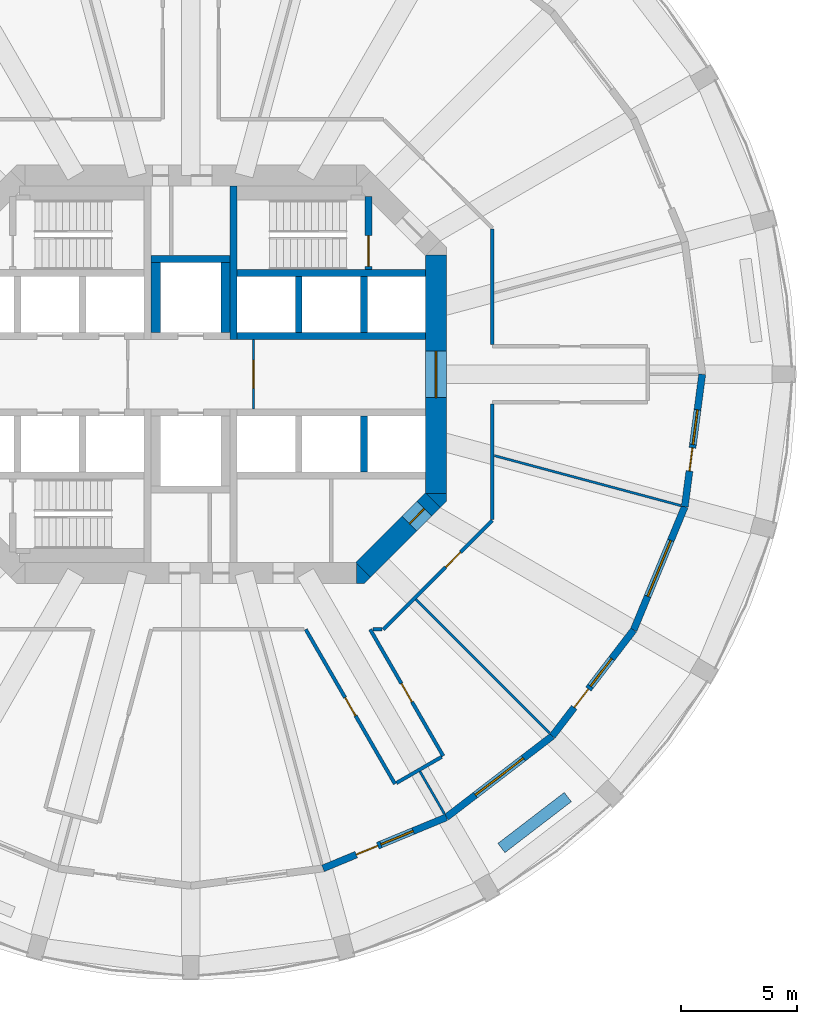
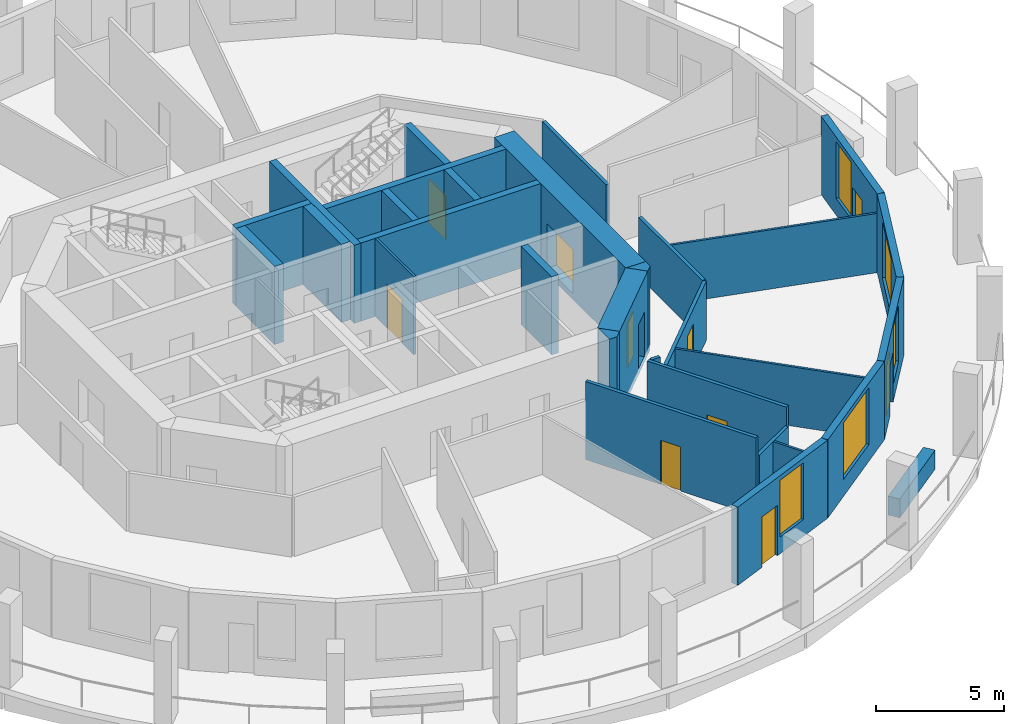
# One storey, part 4 of 8: 31 walls, 10 doors, 5 windows, 15 openings.
"""IFC4 building model written with IfcOpenShell, lengths in metres."""

from ifc_helpers import new_model, si_unit, direction, frame, frame_2d, origin, place, context, subcontext, project, spatial, polyline, rectangle, outline, extrude, material, layer, layer_set, type_object, element, fill, save


model = new_model("IFC4")

# Units and contexts
model_context = context("Model", 3, precision=1e-05, world=origin(), true_north=direction((0.0, 1.0)))
body_context = subcontext(model_context, "Body", "Model", "MODEL_VIEW")
ifc_project = project(units=[si_unit("LENGTHUNIT", "METRE"), si_unit("AREAUNIT", "SQUARE_METRE"), si_unit("VOLUMEUNIT", "CUBIC_METRE"), si_unit("PLANEANGLEUNIT", "RADIAN"), si_unit("MASSUNIT", "GRAM", prefix="KILO")], contexts=[model_context])

# Site, building, storey
site_placement = place(None, origin())
site = spatial("IfcSite", under=ifc_project, at=site_placement, CompositionType="ELEMENT")
building_placement = place(site_placement, origin())
building = spatial("IfcBuilding", under=site, at=building_placement, Name="Torre Triforio", CompositionType="ELEMENT")
storey_placement = place(building_placement, frame((0.0, 0.0, 86.60009765625)))
storey = spatial("IfcBuildingStorey", under=building, at=storey_placement, Name="L18", CompositionType="ELEMENT", Elevation=86.60009765625)

# Wall
ifc_material_1 = material(Name="Concrete C60", Category="concrete")
ifc_layer_1 = layer(ifc_material_1, 0.300048828125)
ifc_layer_set_1 = layer_set([ifc_layer_1], Name="Concrete C60")
wall_type_1 = type_object("IfcWallType", Name="Core wall 300 mm C60 EI 120", PredefinedType="SHEAR", material=ifc_layer_set_1)
wall_1_placement = place(storey_placement, frame((1.85009765625, 1.5, 0.0), z_axis=(0.0, 0.0, 1.0), x_axis=(0.0, 1.0, 0.0)))
element("IfcWall", 1, at=wall_1_placement, inside=storey, type_object=wall_type_1, Name="Core wall", PredefinedType="SHEAR", context=body_context, shape_type="SweptSolid", body=[
    extrude(rectangle(XDim=6.60009765625, YDim=0.300048828125, at=frame_2d((3.300048828125, 0.0))), origin(), (0.0, 0.0, 1.0), 3.719970703125),
])

# Wall, opening, door
ifc_layer_2 = layer(ifc_material_1, 0.89990234375)
ifc_layer_set_2 = layer_set([ifc_layer_2], Name="Concrete C60")
wall_type_2 = type_object("IfcWallType", Name="Core wall 900 mm C60 EI 120", PredefinedType="SHEAR", material=ifc_layer_set_2)
wall_2_placement = place(storey_placement, frame((10.550048828125, -5.1298828125, -0.280029296875), z_axis=(0.0, 0.0, 1.0), x_axis=(0.0, 1.0, 0.0)))
wall_2 = element("IfcWall", 2, at=wall_2_placement, inside=storey, type_object=wall_type_2, Name="Core wall", PredefinedType="SHEAR", context=body_context, shape_type="SweptSolid", body=[
    extrude(rectangle(XDim=10.259765625, YDim=0.89990234375, at=frame_2d((5.1298828125, 0.0))), origin(), (0.0, 0.0, 1.0), 4.0),
])
opening_1_placement = place(wall_2_placement, frame((4.1298828125, 0.0, 0.280029296875)))
opening_1 = element("IfcOpeningElement", 3, at=opening_1_placement, cuts=wall_2, Name="Opening E-RING", PredefinedType="OPENING", context=body_context, shape_type="SweptSolid", body=[
    extrude(rectangle(XDim=2.0, YDim=2.10009765625, at=frame_2d((1.0, 1.050048828125))), frame((0.0, 0.4599609375, 0.0), z_axis=(0.0, -1.0, 0.0), x_axis=(1.0, 0.0, 0.0)), (0.0, 0.0, 1.0), 0.919921875),
])
ifc_material_2 = material(Name="Hollow metal fire door leaf")
door_type_1 = type_object("IfcDoorType", Name="Lobby door 2000 x 2100 EI 60", OperationType="DOUBLE_DOOR_SINGLE_SWING", PredefinedType="DOOR", material=ifc_material_2)
door_1_placement = place(opening_1_placement, origin())
door_1 = element("IfcDoor", 4, at=door_1_placement, inside=storey, type_object=door_type_1, Name="Core door E-RING", OperationType="DOUBLE_DOOR_SINGLE_SWING", OverallHeight=2.10009765625, OverallWidth=2.0, PredefinedType="DOOR", context=body_context, shape_type="SweptSolid", body=[
    extrude(rectangle(XDim=2.0, YDim=2.10009765625, at=frame_2d((1.0, 1.050048828125))), frame((0.0, 0.02490234375, 0.0), z_axis=(0.0, -1.0, 0.0), x_axis=(1.0, 0.0, 0.0)), (0.0, 0.0, 1.0), 0.050048828125),
])
fill(opening_1, door_1)

wall_3_placement = place(storey_placement, frame((10.418212890625, -5.418212890625, -0.280029296875), z_axis=(0.0, 0.0, 1.0), x_axis=(-0.707106781187, -0.707106781187, 0.0)))
wall_3 = element("IfcWall", 5, at=wall_3_placement, inside=storey, type_object=wall_type_2, Name="Core wall", PredefinedType="SHEAR", context=body_context, shape_type="SweptSolid", body=[
    extrude(rectangle(XDim=4.24267578125, YDim=0.89990234375, at=frame_2d((2.121337890625, 0.0))), origin(), (0.0, 0.0, 1.0), 4.0),
])
opening_2_placement = place(wall_3_placement, frame((0.52001953125, 0.0, 0.280029296875)))
opening_2 = element("IfcOpeningElement", 6, at=opening_2_placement, cuts=wall_3, Name="Opening SE-02", PredefinedType="OPENING", context=body_context, shape_type="SweptSolid", body=[
    extrude(rectangle(XDim=0.89990234375, YDim=2.10009765625, at=frame_2d((0.449951171875, 1.050048828125))), frame((0.0, 0.4599609375, 0.0), z_axis=(0.0, -1.0, 0.0), x_axis=(1.0, 0.0, 0.0)), (0.0, 0.0, 1.0), 0.919921875),
])
door_type_2 = type_object("IfcDoorType", Name="Room door 900 x 2100 EI 60", OperationType="NOTDEFINED", PredefinedType="DOOR", material=ifc_material_2)
door_2_placement = place(opening_2_placement, origin())
door_2 = element("IfcDoor", 7, at=door_2_placement, inside=storey, type_object=door_type_2, Name="Core door SE-02", OperationType="SINGLE_SWING_RIGHT", OverallHeight=2.10009765625, OverallWidth=0.89990234375, PredefinedType="DOOR", context=body_context, shape_type="SweptSolid", body=[
    extrude(rectangle(XDim=0.89990234375, YDim=2.10009765625, at=frame_2d((0.449951171875, 1.050048828125))), frame((0.0, 0.02490234375, 0.0), z_axis=(0.0, -1.0, 0.0), x_axis=(1.0, 0.0, 0.0)), (0.0, 0.0, 1.0), 0.050048828125),
])
fill(opening_2, door_2)

# Walls
wall_4_placement = place(storey_placement, frame((0.0, 0.0, -0.280029296875)))
element("IfcWall", 8, at=wall_4_placement, inside=storey, type_object=wall_type_2, Name="Core wall", PredefinedType="SHEAR", context=body_context, shape_type="SweptSolid", body=[
    extrude(outline(polyline([(7.472900390625, -9.0), (7.1298828125, -9.0), (7.1298828125, -8.1298828125), (7.736328125, -8.736328125), (7.472900390625, -9.0)])), origin(), (0.0, 0.0, 1.0), 4.0),
])
wall_5_placement = place(storey_placement, frame((0.0, 0.0, -0.280029296875)))
element("IfcWall", 9, at=wall_5_placement, inside=storey, type_object=wall_type_2, Name="Core wall", PredefinedType="SHEAR", context=body_context, shape_type="SweptSolid", body=[
    extrude(outline(polyline([(11.0, -5.472900390625), (10.736328125, -5.736328125), (10.1298828125, -5.1298828125), (11.0, -5.1298828125), (11.0, -5.472900390625)])), origin(), (0.0, 0.0, 1.0), 4.0),
])
ifc_material_3 = material(Name="Plasterboard on metal studs")
ifc_layer_3 = layer(ifc_material_3, 0.14990234375)
ifc_layer_set_3 = layer_set([ifc_layer_3], Name="Plasterboard on metal studs")
wall_type_3 = type_object("IfcWallType", Name="Corridor and tenancy wall 150 mm EI 60", PredefinedType="PARTITIONING", material=ifc_layer_set_3)
wall_6_placement = place(storey_placement, frame((12.97509765625, -1.27490234375, 0.0), z_axis=(0.0, 0.0, 1.0), x_axis=(0.0, -1.0, 0.0)))
element("IfcWall", 10, at=wall_6_placement, inside=storey, type_object=wall_type_3, Name="Partition 2", PredefinedType="PARTITIONING", context=body_context, shape_type="SweptSolid", body=[
    extrude(rectangle(XDim=4.96337890625, YDim=0.14990234375, at=frame_2d((2.481689453125, 0.0))), origin(), (0.0, 0.0, 1.0), 2.81982421875),
])

# Wall, opening, door
wall_7_placement = place(storey_placement, frame((12.97509765625, -6.291015625, 0.0), z_axis=(0.0, 0.0, 1.0), x_axis=(-0.707106781187, -0.707106781187, 0.0)))
wall_7 = element("IfcWall", 11, at=wall_7_placement, inside=storey, type_object=wall_type_3, Name="Partition 3", PredefinedType="PARTITIONING", context=body_context, shape_type="SweptSolid", body=[
    extrude(rectangle(XDim=6.624267578125, YDim=0.14990234375, at=frame_2d((3.31201171875, 0.0))), origin(), (0.0, 0.0, 1.0), 2.81982421875),
])
opening_3_placement = place(wall_7_placement, frame((1.938232421875, 0.0, 0.0)))
opening_3 = element("IfcOpeningElement", 12, at=opening_3_placement, cuts=wall_7, Name="Opening N6-10", PredefinedType="OPENING", context=body_context, shape_type="SweptSolid", body=[
    extrude(rectangle(XDim=0.89990234375, YDim=2.10009765625, at=frame_2d((0.449951171875, 1.050048828125))), frame((0.0, 0.0849609375, 0.0), z_axis=(0.0, -1.0, 0.0), x_axis=(1.0, 0.0, 0.0)), (0.0, 0.0, 1.0), 0.169921875),
])
ifc_material_4 = material(Name="Timber", Category="wood")
door_type_3 = type_object("IfcDoorType", Name="Door 900 x 2100 single leaf EI 30", OperationType="NOTDEFINED", PredefinedType="DOOR", material=ifc_material_4)
door_3_placement = place(opening_3_placement, origin())
door_3 = element("IfcDoor", 13, at=door_3_placement, inside=storey, type_object=door_type_3, Name="Door N6-10", OperationType="SINGLE_SWING_RIGHT", OverallHeight=2.10009765625, OverallWidth=0.89990234375, PredefinedType="DOOR", context=body_context, shape_type="SweptSolid", body=[
    extrude(rectangle(XDim=0.89990234375, YDim=2.10009765625, at=frame_2d((0.449951171875, 1.050048828125))), frame((0.0, 0.02490234375, 0.0), z_axis=(0.0, -1.0, 0.0), x_axis=(1.0, 0.0, 0.0)), (0.0, 0.0, 1.0), 0.050048828125),
])
fill(opening_3, door_3)

# Wall
wall_8_placement = place(storey_placement, frame((8.23828125, -10.97509765625, 0.0), z_axis=(0.0, 0.0, 1.0), x_axis=(-1.0, 0.0, 0.0)))
element("IfcWall", 14, at=wall_8_placement, inside=storey, type_object=wall_type_3, Name="Partition 4", PredefinedType="PARTITIONING", context=body_context, shape_type="SweptSolid", body=[
    extrude(rectangle(XDim=0.38623046875, YDim=0.14990234375, at=frame_2d((0.193115234375, 0.0))), origin(), (0.0, 0.0, 1.0), 3.719970703125),
])

# Wall, opening, door
wall_9_placement = place(storey_placement, frame((7.72216796875, -10.97509765625, 0.0), z_axis=(0.0, 0.0, 1.0), x_axis=(0.499988183684, -0.86603222583, 0.0)))
wall_9 = element("IfcWall", 15, at=wall_9_placement, inside=storey, type_object=wall_type_3, Name="Partition 5", PredefinedType="PARTITIONING", context=body_context, shape_type="SweptSolid", body=[
    extrude(rectangle(XDim=6.282958984375, YDim=0.14990234375, at=frame_2d((3.1416015625, 0.0))), origin(), (0.0, 0.0, 1.0), 3.719970703125),
])
opening_4_placement = place(wall_9_placement, frame((2.69140625, 0.0, 0.0)))
opening_4 = element("IfcOpeningElement", 16, at=opening_4_placement, cuts=wall_9, Name="Opening N6-09", PredefinedType="OPENING", context=body_context, shape_type="SweptSolid", body=[
    extrude(rectangle(XDim=0.89990234375, YDim=2.10009765625, at=frame_2d((0.449951171875, 1.050048828125))), frame((0.0, 0.0849609375, 0.0), z_axis=(0.0, -1.0, 0.0), x_axis=(1.0, 0.0, 0.0)), (0.0, 0.0, 1.0), 0.169921875),
])
door_4_placement = place(opening_4_placement, origin())
door_4 = element("IfcDoor", 17, at=door_4_placement, inside=storey, type_object=door_type_3, Name="Door N6-09", OperationType="SINGLE_SWING_LEFT", OverallHeight=2.10009765625, OverallWidth=0.89990234375, PredefinedType="DOOR", context=body_context, shape_type="SweptSolid", body=[
    extrude(rectangle(XDim=0.89990234375, YDim=2.10009765625, at=frame_2d((0.449951171875, 1.050048828125))), frame((0.0, 0.02490234375, 0.0), z_axis=(0.0, -1.0, 0.0), x_axis=(1.0, 0.0, 0.0)), (0.0, 0.0, 1.0), 0.050048828125),
])
fill(opening_4, door_4)

# Wall
wall_10_placement = place(storey_placement, frame((10.798583984375, -16.453857421875, 0.0), z_axis=(0.0, 0.0, 1.0), x_axis=(-0.866017533419, -0.500013631625, 0.0)))
element("IfcWall", 18, at=wall_10_placement, inside=storey, type_object=wall_type_3, Name="Partition 6", PredefinedType="PARTITIONING", context=body_context, shape_type="SweptSolid", body=[
    extrude(rectangle(XDim=2.25, YDim=0.14990234375, at=frame_2d((1.125, 0.0))), origin(), (0.0, 0.0, 1.0), 2.81982421875),
])

# Wall, opening, door
wall_11_placement = place(storey_placement, frame((8.78515625, -17.6162109375, 0.0), z_axis=(0.0, 0.0, 1.0), x_axis=(-0.500021918639, 0.866012748683, 0.0)))
wall_11 = element("IfcWall", 19, at=wall_11_placement, inside=storey, type_object=wall_type_3, Name="Partition 7", PredefinedType="PARTITIONING", context=body_context, shape_type="SweptSolid", body=[
    extrude(rectangle(XDim=7.668701171875, YDim=0.14990234375, at=frame_2d((3.83447265625, 0.0))), origin(), (0.0, 0.0, 1.0), 3.719970703125),
])
opening_5_placement = place(wall_11_placement, frame((3.38427734375, 0.0, 0.0)))
opening_5 = element("IfcOpeningElement", 20, at=opening_5_placement, cuts=wall_11, Name="Opening N6-08", PredefinedType="OPENING", context=body_context, shape_type="SweptSolid", body=[
    extrude(rectangle(XDim=0.89990234375, YDim=2.10009765625, at=frame_2d((0.449951171875, 1.050048828125))), frame((0.0, 0.0849609375, 0.0), z_axis=(0.0, -1.0, 0.0), x_axis=(1.0, 0.0, 0.0)), (0.0, 0.0, 1.0), 0.169921875),
])
door_5_placement = place(opening_5_placement, origin())
door_5 = element("IfcDoor", 21, at=door_5_placement, inside=storey, type_object=door_type_3, Name="Door N6-08", OperationType="SINGLE_SWING_RIGHT", OverallHeight=2.10009765625, OverallWidth=0.89990234375, PredefinedType="DOOR", context=body_context, shape_type="SweptSolid", body=[
    extrude(rectangle(XDim=0.89990234375, YDim=2.10009765625, at=frame_2d((0.449951171875, 1.050048828125))), frame((0.0, 0.02490234375, 0.0), z_axis=(0.0, -1.0, 0.0), x_axis=(1.0, 0.0, 0.0)), (0.0, 0.0, 1.0), 0.050048828125),
])
fill(opening_5, door_5)

# Wall
wall_12_placement = place(storey_placement, frame((12.97509765625, 6.23828125, 0.0), z_axis=(0.0, 0.0, 1.0), x_axis=(0.0, -1.0, 0.0)))
element("IfcWall", 22, at=wall_12_placement, inside=storey, type_object=wall_type_3, Name="Partition 26", PredefinedType="PARTITIONING", context=body_context, shape_type="SweptSolid", body=[
    extrude(rectangle(XDim=4.96337890625, YDim=0.14990234375, at=frame_2d((2.481689453125, 0.0))), origin(), (0.0, 0.0, 1.0), 2.81982421875),
])

# Wall, opening, door
ifc_material_5 = material(Name="Block and board partition")
ifc_layer_4 = layer(ifc_material_5, 0.10009765625)
ifc_layer_set_4 = layer_set([ifc_layer_4], Name="Block and board partition")
wall_type_4 = type_object("IfcWallType", Name="Partition 100 mm EI 120", PredefinedType="PARTITIONING", material=ifc_layer_set_4)
wall_13_placement = place(storey_placement, frame((2.699951171875, -1.5, 0.0), z_axis=(0.0, 0.0, 1.0), x_axis=(0.0, 1.0, 0.0)))
wall_13 = element("IfcWall", 23, at=wall_13_placement, inside=storey, type_object=wall_type_4, Name="Partition", PredefinedType="PARTITIONING", context=body_context, shape_type="SweptSolid", body=[
    extrude(rectangle(XDim=3.0, YDim=0.10009765625, at=frame_2d((1.5, 0.0))), origin(), (0.0, 0.0, 1.0), 3.719970703125),
])
opening_6_placement = place(wall_13_placement, frame((0.89990234375, 0.0, 0.0)))
opening_6 = element("IfcOpeningElement", 24, at=opening_6_placement, cuts=wall_13, Name="Opening FF-E", PredefinedType="OPENING", context=body_context, shape_type="SweptSolid", body=[
    extrude(rectangle(XDim=1.199951171875, YDim=2.10009765625, at=frame_2d((0.60009765625, 1.050048828125))), frame((0.0, 0.06005859375, 0.0), z_axis=(0.0, -1.0, 0.0), x_axis=(1.0, 0.0, 0.0)), (0.0, 0.0, 1.0), 0.1201171875),
])
door_type_4 = type_object("IfcDoorType", Name="Fire-fighting lobby door 1200 x 2100 EI 60", OperationType="NOTDEFINED", PredefinedType="DOOR", material=ifc_material_2)
door_6_placement = place(opening_6_placement, origin())
door_6 = element("IfcDoor", 25, at=door_6_placement, inside=storey, type_object=door_type_4, Name="Core door FF-E", OperationType="SINGLE_SWING_LEFT", OverallHeight=2.10009765625, OverallWidth=1.199951171875, PredefinedType="DOOR", context=body_context, shape_type="SweptSolid", body=[
    extrude(rectangle(XDim=1.199951171875, YDim=2.10009765625, at=frame_2d((0.60009765625, 1.050048828125))), frame((0.0, 0.02490234375, 0.0), z_axis=(0.0, -1.0, 0.0), x_axis=(1.0, 0.0, 0.0)), (0.0, 0.0, 1.0), 0.050048828125),
])
fill(opening_6, door_6)

# Walls
ifc_layer_5 = layer(ifc_material_3, 0.10009765625)
ifc_layer_set_5 = layer_set([ifc_layer_5], Name="Plasterboard on metal studs")
wall_type_5 = type_object("IfcWallType", Name="Partition 100 mm board on metal studs", PredefinedType="PARTITIONING", material=ifc_layer_set_5)
wall_14_placement = place(storey_placement, frame((9.86181640625, -17.081298828125, 0.0), z_axis=(0.0, 0.0, 1.0), x_axis=(0.500065834316, -0.865987390988, 0.0)))
element("IfcWall", 26, at=wall_14_placement, inside=storey, type_object=wall_type_5, Name="Partition 38", PredefinedType="PARTITIONING", context=body_context, shape_type="SweptSolid", body=[
    extrude(rectangle(XDim=2.113037109375, YDim=0.10009765625, at=frame_2d((1.056640625, 0.0))), origin(), (0.0, 0.0, 1.0), 2.81982421875),
])
wall_15_placement = place(storey_placement, frame((9.68603515625, -9.68603515625, 0.0), z_axis=(0.0, 0.0, 1.0), x_axis=(0.707106781187, -0.707106781187, 0.0)))
element("IfcWall", 27, at=wall_15_placement, inside=storey, type_object=wall_type_5, Name="Partition 39", PredefinedType="PARTITIONING", context=body_context, shape_type="SweptSolid", body=[
    extrude(rectangle(XDim=8.138671875, YDim=0.10009765625, at=frame_2d((4.0693359375, 0.0))), origin(), (0.0, 0.0, 1.0), 2.81982421875),
])
wall_16_placement = place(storey_placement, frame((13.064208984375, -3.50048828125, 0.0), z_axis=(0.0, 0.0, 1.0), x_axis=(0.965920254223, -0.258839839442, 0.0)))
element("IfcWall", 28, at=wall_16_placement, inside=storey, type_object=wall_type_5, Name="Partition 40", PredefinedType="PARTITIONING", context=body_context, shape_type="SweptSolid", body=[
    extrude(rectangle(XDim=8.3115234375, YDim=0.10009765625, at=frame_2d((4.15576171875, 0.0))), origin(), (0.0, 0.0, 1.0), 2.81982421875),
])
ifc_material_6 = material(Name="Limestone cladding", Category="masonry")
ifc_layer_6 = layer(ifc_material_6, 0.10009765625)
ifc_material_7 = material(Name="Concrete C40", Category="concrete")
ifc_layer_7 = layer(ifc_material_7, 0.39990234375)
ifc_layer_set_6 = layer_set([ifc_layer_6, ifc_layer_7], Name="Limestone cladding / Concrete C40")
wall_type_6 = type_object("IfcWallType", Name="Planter wall 500", PredefinedType="PARAPET", material=ifc_layer_set_6)
wall_17_placement = place(storey_placement, frame((13.364990234375, -20.374267578125, 0.0), z_axis=(0.0, 0.0, 1.0), x_axis=(0.793326845617, 0.608795955984, 0.0)))
element("IfcWall", 29, at=wall_17_placement, inside=storey, type_object=wall_type_6, Name="Planter L18 bay 21", PredefinedType="PARAPET", context=body_context, shape_type="SweptSolid", body=[
    extrude(rectangle(XDim=3.599853515625, YDim=0.5, at=frame_2d((1.7998046875, 0.0))), origin(), (0.0, 0.0, 1.0), 0.89990234375),
])
ifc_layer_8 = layer(ifc_material_1, 0.300048828125)
ifc_layer_set_7 = layer_set([ifc_layer_8], Name="Concrete C60")
wall_type_7 = type_object("IfcWallType", Name="Shaft wall 300 mm C60 EI 120", PredefinedType="SOLIDWALL", material=ifc_layer_set_7)
for number, where, z_axis, x_axis, name in (
    (30, (2.0, 4.35009765625, 0.0), (0.0, 0.0, 1.0), (1.0, 0.0, 0.0), "Shaft wall"),
    (31, (2.0, 1.64990234375, 0.0), (0.0, 0.0, 1.0), (1.0, 0.0, 0.0), "Shaft wall"),
):
    element("IfcWall", number, at=place(storey_placement, frame(where, z_axis=z_axis, x_axis=x_axis)), inside=storey, type_object=wall_type_7, Name=name, PredefinedType="SOLIDWALL", context=body_context, shape_type="SweptSolid", body=[
        extrude(rectangle(XDim=8.10009765625, YDim=0.300048828125, at=frame_2d((4.050048828125, 0.0))), origin(), (0.0, 0.0, 1.0), 3.719970703125),
    ])
for number, where, z_axis, x_axis, name in (
    (32, (4.64990234375, 1.800048828125, 0.0), (0.0, 0.0, 1.0), (0.0, 1.0, 0.0), "Shaft wall"),
    (33, (7.449951171875, 1.800048828125, 0.0), (0.0, 0.0, 1.0), (0.0, 1.0, 0.0), "Shaft wall"),
    (34, (7.449951171875, -4.199951171875, 0.0), (0.0, 0.0, 1.0), (0.0, 1.0, 0.0), "Shaft wall"),
):
    element("IfcWall", number, at=place(storey_placement, frame(where, z_axis=z_axis, x_axis=x_axis)), inside=storey, type_object=wall_type_7, Name=name, PredefinedType="SOLIDWALL", context=body_context, shape_type="SweptSolid", body=[
        extrude(rectangle(XDim=2.39990234375, YDim=0.300048828125, at=frame_2d((1.199951171875, 0.0))), origin(), (0.0, 0.0, 1.0), 3.719970703125),
    ])
wall_18_placement = place(storey_placement, frame((-1.699951171875, 4.949951171875, 0.0), z_axis=(0.0, 0.0, 1.0), x_axis=(1.0, 0.0, 0.0)))
element("IfcWall", 35, at=wall_18_placement, inside=storey, type_object=wall_type_7, Name="Shaft wall", PredefinedType="SOLIDWALL", context=body_context, shape_type="SweptSolid", body=[
    extrude(rectangle(XDim=3.39990234375, YDim=0.300048828125, at=frame_2d((1.699951171875, 0.0))), origin(), (0.0, 0.0, 1.0), 3.719970703125),
])
ifc_layer_9 = layer(ifc_material_1, 0.39990234375)
ifc_layer_set_8 = layer_set([ifc_layer_9], Name="Concrete C60")
wall_type_8 = type_object("IfcWallType", Name="Shaft wall 400 mm C60 EI 120", PredefinedType="SOLIDWALL", material=ifc_layer_set_8)
for number, where, z_axis, x_axis, name in (
    (36, (-1.5, 1.800048828125, 0.0), (0.0, 0.0, 1.0), (0.0, 1.0, 0.0), "Shaft wall"),
    (37, (1.5, 1.800048828125, 0.0), (0.0, 0.0, 1.0), (0.0, 1.0, 0.0), "Shaft wall"),
):
    element("IfcWall", number, at=place(storey_placement, frame(where, z_axis=z_axis, x_axis=x_axis)), inside=storey, type_object=wall_type_8, Name=name, PredefinedType="SOLIDWALL", context=body_context, shape_type="SweptSolid", body=[
        extrude(rectangle(XDim=3.0, YDim=0.39990234375, at=frame_2d((1.5, 0.0))), origin(), (0.0, 0.0, 1.0), 3.719970703125),
    ])

# Wall, opening, door
ifc_layer_10 = layer(ifc_material_1, 0.300048828125)
ifc_layer_set_9 = layer_set([ifc_layer_10], Name="Concrete C60")
wall_type_9 = type_object("IfcWallType", Name="Stair wall 300 mm C60 EI 120", PredefinedType="SHEAR", material=ifc_layer_set_9)
wall_19_placement = place(storey_placement, frame((7.64990234375, 4.5, 0.0), z_axis=(0.0, 0.0, 1.0), x_axis=(0.0, 1.0, 0.0)))
wall_19 = element("IfcWall", 38, at=wall_19_placement, inside=storey, type_object=wall_type_9, Name="Stair wall", PredefinedType="SHEAR", context=body_context, shape_type="SweptSolid", body=[
    extrude(rectangle(XDim=3.139892578125, YDim=0.300048828125, at=frame_2d((1.56982421875, 0.0))), origin(), (0.0, 0.0, 1.0), 3.719970703125),
])
opening_7_placement = place(wall_19_placement, frame((0.139892578125, 0.0, 0.0)))
opening_7 = element("IfcOpeningElement", 39, at=opening_7_placement, cuts=wall_19, Name="Opening ST2-STA", PredefinedType="OPENING", context=body_context, shape_type="SweptSolid", body=[
    extrude(rectangle(XDim=1.320068359375, YDim=2.10009765625, at=frame_2d((0.66015625, 1.050048828125))), frame((0.0, 0.159912109375, 0.0), z_axis=(0.0, -1.0, 0.0), x_axis=(1.0, 0.0, 0.0)), (0.0, 0.0, 1.0), 0.320068359375),
])
door_type_5 = type_object("IfcDoorType", Name="Stair door 1320 x 2100 EI 90", OperationType="DOUBLE_DOOR_SINGLE_SWING", PredefinedType="DOOR", material=ifc_material_2)
door_7_placement = place(opening_7_placement, origin())
door_7 = element("IfcDoor", 40, at=door_7_placement, inside=storey, type_object=door_type_5, Name="Core door ST2-ST", OperationType="DOUBLE_DOOR_SINGLE_SWING", OverallHeight=2.10009765625, OverallWidth=1.320068359375, PredefinedType="DOOR", context=body_context, shape_type="SweptSolid", body=[
    extrude(rectangle(XDim=1.320068359375, YDim=2.10009765625, at=frame_2d((0.66015625, 1.050048828125))), frame((0.0, 0.02490234375, 0.0), z_axis=(0.0, -1.0, 0.0), x_axis=(1.0, 0.0, 0.0)), (0.0, 0.0, 1.0), 0.050048828125),
])
fill(opening_7, door_7)

# Wall, openings, door, window
ifc_layer_11 = layer(ifc_material_6, 0.10009765625)
ifc_layer_12 = layer(ifc_material_7, 0.199951171875)
ifc_layer_set_10 = layer_set([ifc_layer_11, ifc_layer_12], Name="Limestone cladding / Concrete C40")
wall_type_10 = type_object("IfcWallType", Name="Stone-faced composite wall 300", PredefinedType="STANDARD", material=ifc_layer_set_10)
wall_20_placement = place(storey_placement, frame((5.694091796875, -21.25048828125, 0.0), z_axis=(0.0, 0.0, 1.0), x_axis=(0.923866055759, 0.382715966503, 0.0)))
wall_20 = element("IfcWall", 41, at=wall_20_placement, inside=storey, type_object=wall_type_10, Name="External wall L18 bay 20", PredefinedType="STANDARD", context=body_context, shape_type="SweptSolid", body=[
    extrude(rectangle(XDim=5.7431640625, YDim=0.300048828125, at=frame_2d((2.87158203125, 0.0))), origin(), (0.0, 0.0, 1.0), 3.719970703125),
])
opening_8_placement = place(wall_20_placement, frame((1.546630859375, 0.0, 0.0)))
opening_8 = element("IfcOpeningElement", 42, at=opening_8_placement, cuts=wall_20, Name="Opening N6-D20", PredefinedType="OPENING", context=body_context, shape_type="SweptSolid", body=[
    extrude(rectangle(XDim=1.0, YDim=2.39990234375, at=frame_2d((0.5, 1.199951171875))), frame((0.0, 0.159912109375, 0.0), z_axis=(0.0, -1.0, 0.0), x_axis=(1.0, 0.0, 0.0)), (0.0, 0.0, 1.0), 0.320068359375),
])
opening_9_placement = place(wall_20_placement, frame((2.696533203125, 0.0, 0.800048828125)))
opening_9 = element("IfcOpeningElement", 43, at=opening_9_placement, cuts=wall_20, Name="Opening N6-W20A", PredefinedType="OPENING", context=body_context, shape_type="SweptSolid", body=[
    extrude(rectangle(XDim=1.5, YDim=2.699951171875, at=frame_2d((0.75, 1.35009765625))), frame((0.0, 0.159912109375, 0.0), z_axis=(0.0, -1.0, 0.0), x_axis=(1.0, 0.0, 0.0)), (0.0, 0.0, 1.0), 0.320068359375),
])
ifc_material_8 = material(Name="Aluminium frame with clear double glazing", Category="aluminium")
door_type_6 = type_object("IfcDoorType", Name="Loggia door 1000 x 2400", OperationType="NOTDEFINED", PredefinedType="DOOR", material=ifc_material_8)
door_8_placement = place(opening_8_placement, origin())
door_8 = element("IfcDoor", 44, at=door_8_placement, inside=storey, type_object=door_type_6, Name="Loggia door L18 bay 20", OperationType="SINGLE_SWING_RIGHT", OverallHeight=2.39990234375, OverallWidth=1.0, PredefinedType="DOOR", context=body_context, shape_type="SweptSolid", body=[
    extrude(rectangle(XDim=1.0, YDim=2.39990234375, at=frame_2d((0.5, 1.199951171875))), frame((0.0, 0.02490234375, 0.0), z_axis=(0.0, -1.0, 0.0), x_axis=(1.0, 0.0, 0.0)), (0.0, 0.0, 1.0), 0.050048828125),
])
fill(opening_8, door_8)
window_type_1 = type_object("IfcWindowType", Name="Side window 1500 x 2700", PartitioningType="SINGLE_PANEL", PredefinedType="WINDOW", material=ifc_material_8)
window_1_placement = place(opening_9_placement, origin())
window_1 = element("IfcWindow", 45, at=window_1_placement, inside=storey, type_object=window_type_1, Name="Side window EWN12 L18 bay 20", OverallHeight=2.699951171875, OverallWidth=1.5, PartitioningType="SINGLE_PANEL", PredefinedType="WINDOW", context=body_context, shape_type="SweptSolid", body=[
    extrude(rectangle(XDim=1.5, YDim=2.699951171875, at=frame_2d((0.75, 1.35009765625))), frame((0.0, 0.030029296875, 0.0), z_axis=(0.0, -1.0, 0.0), x_axis=(1.0, 0.0, 0.0)), (0.0, 0.0, 1.0), 0.06005859375),
])
fill(opening_9, window_1)

# Wall, opening, window
wall_21_placement = place(storey_placement, frame((11.0, -19.052490234375, 0.0), z_axis=(0.0, 0.0, 1.0), x_axis=(0.793366142647, 0.608744744291, 0.0)))
wall_21 = element("IfcWall", 46, at=wall_21_placement, inside=storey, type_object=wall_type_10, Name="External wall L18 bay 21", PredefinedType="STANDARD", context=body_context, shape_type="SweptSolid", body=[
    extrude(rectangle(XDim=5.7431640625, YDim=0.300048828125, at=frame_2d((2.87158203125, 0.0))), origin(), (0.0, 0.0, 1.0), 3.719970703125),
])
opening_10_placement = place(wall_21_placement, frame((1.571533203125, 0.0, 0.800048828125)))
opening_10 = element("IfcOpeningElement", 47, at=opening_10_placement, cuts=wall_21, Name="Opening N6-W21", PredefinedType="OPENING", context=body_context, shape_type="SweptSolid", body=[
    extrude(rectangle(XDim=2.60009765625, YDim=2.699951171875, at=frame_2d((1.300048828125, 1.35009765625))), frame((0.0, 0.159912109375, 0.0), z_axis=(0.0, -1.0, 0.0), x_axis=(1.0, 0.0, 0.0)), (0.0, 0.0, 1.0), 0.320068359375),
])
window_type_2 = type_object("IfcWindowType", Name="Punched window 2600 x 2700", PartitioningType="DOUBLE_PANEL_VERTICAL", PredefinedType="WINDOW", material=ifc_material_8)
window_2_placement = place(opening_10_placement, origin())
window_2 = element("IfcWindow", 48, at=window_2_placement, inside=storey, type_object=window_type_2, Name="Window EWN2 L18 bay 21", OverallHeight=2.699951171875, OverallWidth=2.60009765625, PartitioningType="SINGLE_PANEL", PredefinedType="WINDOW", context=body_context, shape_type="SweptSolid", body=[
    extrude(rectangle(XDim=2.60009765625, YDim=2.699951171875, at=frame_2d((1.300048828125, 1.35009765625))), frame((0.0, 0.030029296875, 0.0), z_axis=(0.0, -1.0, 0.0), x_axis=(1.0, 0.0, 0.0)), (0.0, 0.0, 1.0), 0.06005859375),
])
fill(opening_10, window_2)

# Wall, openings, door, window
wall_22_placement = place(storey_placement, frame((15.556396484375, -15.556396484375, 0.0), z_axis=(0.0, 0.0, 1.0), x_axis=(0.608744744291, 0.793366142647, 0.0)))
wall_22 = element("IfcWall", 49, at=wall_22_placement, inside=storey, type_object=wall_type_10, Name="External wall L18 bay 22", PredefinedType="STANDARD", context=body_context, shape_type="SweptSolid", body=[
    extrude(rectangle(XDim=5.7431640625, YDim=0.300048828125, at=frame_2d((2.87158203125, 0.0))), origin(), (0.0, 0.0, 1.0), 3.719970703125),
])
opening_11_placement = place(wall_22_placement, frame((1.546630859375, 0.0, 0.0)))
opening_11 = element("IfcOpeningElement", 50, at=opening_11_placement, cuts=wall_22, Name="Opening N6-D22", PredefinedType="OPENING", context=body_context, shape_type="SweptSolid", body=[
    extrude(rectangle(XDim=1.0, YDim=2.39990234375, at=frame_2d((0.5, 1.199951171875))), frame((0.0, 0.159912109375, 0.0), z_axis=(0.0, -1.0, 0.0), x_axis=(1.0, 0.0, 0.0)), (0.0, 0.0, 1.0), 0.320068359375),
])
opening_12_placement = place(wall_22_placement, frame((2.696533203125, 0.0, 0.800048828125)))
opening_12 = element("IfcOpeningElement", 51, at=opening_12_placement, cuts=wall_22, Name="Opening N6-W22A", PredefinedType="OPENING", context=body_context, shape_type="SweptSolid", body=[
    extrude(rectangle(XDim=1.5, YDim=2.699951171875, at=frame_2d((0.75, 1.35009765625))), frame((0.0, 0.159912109375, 0.0), z_axis=(0.0, -1.0, 0.0), x_axis=(1.0, 0.0, 0.0)), (0.0, 0.0, 1.0), 0.320068359375),
])
door_9_placement = place(opening_11_placement, origin())
door_9 = element("IfcDoor", 52, at=door_9_placement, inside=storey, type_object=door_type_6, Name="Loggia door L18 bay 22", OperationType="SINGLE_SWING_LEFT", OverallHeight=2.39990234375, OverallWidth=1.0, PredefinedType="DOOR", context=body_context, shape_type="SweptSolid", body=[
    extrude(rectangle(XDim=1.0, YDim=2.39990234375, at=frame_2d((0.5, 1.199951171875))), frame((0.0, 0.02490234375, 0.0), z_axis=(0.0, -1.0, 0.0), x_axis=(1.0, 0.0, 0.0)), (0.0, 0.0, 1.0), 0.050048828125),
])
fill(opening_11, door_9)
window_3_placement = place(opening_12_placement, origin())
window_3 = element("IfcWindow", 53, at=window_3_placement, inside=storey, type_object=window_type_1, Name="Side window EWN12 L18 bay 22", OverallHeight=2.699951171875, OverallWidth=1.5, PartitioningType="SINGLE_PANEL", PredefinedType="WINDOW", context=body_context, shape_type="SweptSolid", body=[
    extrude(rectangle(XDim=1.5, YDim=2.699951171875, at=frame_2d((0.75, 1.35009765625))), frame((0.0, 0.030029296875, 0.0), z_axis=(0.0, -1.0, 0.0), x_axis=(1.0, 0.0, 0.0)), (0.0, 0.0, 1.0), 0.06005859375),
])
fill(opening_12, window_3)

# Wall, opening, window
wall_23_placement = place(storey_placement, frame((19.052490234375, -11.0, 0.0), z_axis=(0.0, 0.0, 1.0), x_axis=(0.382715966503, 0.923866055759, 0.0)))
wall_23 = element("IfcWall", 54, at=wall_23_placement, inside=storey, type_object=wall_type_10, Name="External wall L18 bay 23", PredefinedType="STANDARD", context=body_context, shape_type="SweptSolid", body=[
    extrude(rectangle(XDim=5.7431640625, YDim=0.300048828125, at=frame_2d((2.87158203125, 0.0))), origin(), (0.0, 0.0, 1.0), 3.719970703125),
])
opening_13_placement = place(wall_23_placement, frame((1.571533203125, 0.0, 0.800048828125)))
opening_13 = element("IfcOpeningElement", 55, at=opening_13_placement, cuts=wall_23, Name="Opening N6-W23", PredefinedType="OPENING", context=body_context, shape_type="SweptSolid", body=[
    extrude(rectangle(XDim=2.60009765625, YDim=2.699951171875, at=frame_2d((1.300048828125, 1.35009765625))), frame((0.0, 0.159912109375, 0.0), z_axis=(0.0, -1.0, 0.0), x_axis=(1.0, 0.0, 0.0)), (0.0, 0.0, 1.0), 0.320068359375),
])
window_4_placement = place(opening_13_placement, origin())
window_4 = element("IfcWindow", 56, at=window_4_placement, inside=storey, type_object=window_type_2, Name="Window EWN2 L18 bay 23", OverallHeight=2.699951171875, OverallWidth=2.60009765625, PartitioningType="SINGLE_PANEL", PredefinedType="WINDOW", context=body_context, shape_type="SweptSolid", body=[
    extrude(rectangle(XDim=2.60009765625, YDim=2.699951171875, at=frame_2d((1.300048828125, 1.35009765625))), frame((0.0, 0.030029296875, 0.0), z_axis=(0.0, -1.0, 0.0), x_axis=(1.0, 0.0, 0.0)), (0.0, 0.0, 1.0), 0.06005859375),
])
fill(opening_13, window_4)

# Wall, openings, door, window
wall_24_placement = place(storey_placement, frame((21.25048828125, -5.694091796875, 0.0), z_axis=(0.0, 0.0, 1.0), x_axis=(0.130503995834, 0.991447783331, 0.0)))
wall_24 = element("IfcWall", 57, at=wall_24_placement, inside=storey, type_object=wall_type_10, Name="External wall L18 bay 24", PredefinedType="STANDARD", context=body_context, shape_type="SweptSolid", body=[
    extrude(rectangle(XDim=5.7431640625, YDim=0.300048828125, at=frame_2d((2.87158203125, 0.0))), origin(), (0.0, 0.0, 1.0), 3.719970703125),
])
opening_14_placement = place(wall_24_placement, frame((1.546630859375, 0.0, 0.0)))
opening_14 = element("IfcOpeningElement", 58, at=opening_14_placement, cuts=wall_24, Name="Opening N6-D24", PredefinedType="OPENING", context=body_context, shape_type="SweptSolid", body=[
    extrude(rectangle(XDim=1.0, YDim=2.39990234375, at=frame_2d((0.5, 1.199951171875))), frame((0.0, 0.159912109375, 0.0), z_axis=(0.0, -1.0, 0.0), x_axis=(1.0, 0.0, 0.0)), (0.0, 0.0, 1.0), 0.320068359375),
])
opening_15_placement = place(wall_24_placement, frame((2.696533203125, 0.0, 0.800048828125)))
opening_15 = element("IfcOpeningElement", 59, at=opening_15_placement, cuts=wall_24, Name="Opening N6-W24A", PredefinedType="OPENING", context=body_context, shape_type="SweptSolid", body=[
    extrude(rectangle(XDim=1.5, YDim=2.699951171875, at=frame_2d((0.75, 1.35009765625))), frame((0.0, 0.159912109375, 0.0), z_axis=(0.0, -1.0, 0.0), x_axis=(1.0, 0.0, 0.0)), (0.0, 0.0, 1.0), 0.320068359375),
])
door_10_placement = place(opening_14_placement, origin())
door_10 = element("IfcDoor", 60, at=door_10_placement, inside=storey, type_object=door_type_6, Name="Loggia door L18 bay 24", OperationType="SINGLE_SWING_LEFT", OverallHeight=2.39990234375, OverallWidth=1.0, PredefinedType="DOOR", context=body_context, shape_type="SweptSolid", body=[
    extrude(rectangle(XDim=1.0, YDim=2.39990234375, at=frame_2d((0.5, 1.199951171875))), frame((0.0, 0.02490234375, 0.0), z_axis=(0.0, -1.0, 0.0), x_axis=(1.0, 0.0, 0.0)), (0.0, 0.0, 1.0), 0.050048828125),
])
fill(opening_14, door_10)
window_5_placement = place(opening_15_placement, origin())
window_5 = element("IfcWindow", 61, at=window_5_placement, inside=storey, type_object=window_type_1, Name="Side window EWN12 L18 bay 24", OverallHeight=2.699951171875, OverallWidth=1.5, PartitioningType="SINGLE_PANEL", PredefinedType="WINDOW", context=body_context, shape_type="SweptSolid", body=[
    extrude(rectangle(XDim=1.5, YDim=2.699951171875, at=frame_2d((0.75, 1.35009765625))), frame((0.0, 0.030029296875, 0.0), z_axis=(0.0, -1.0, 0.0), x_axis=(1.0, 0.0, 0.0)), (0.0, 0.0, 1.0), 0.06005859375),
])
fill(opening_15, window_5)

save(model, "model.ifc")
